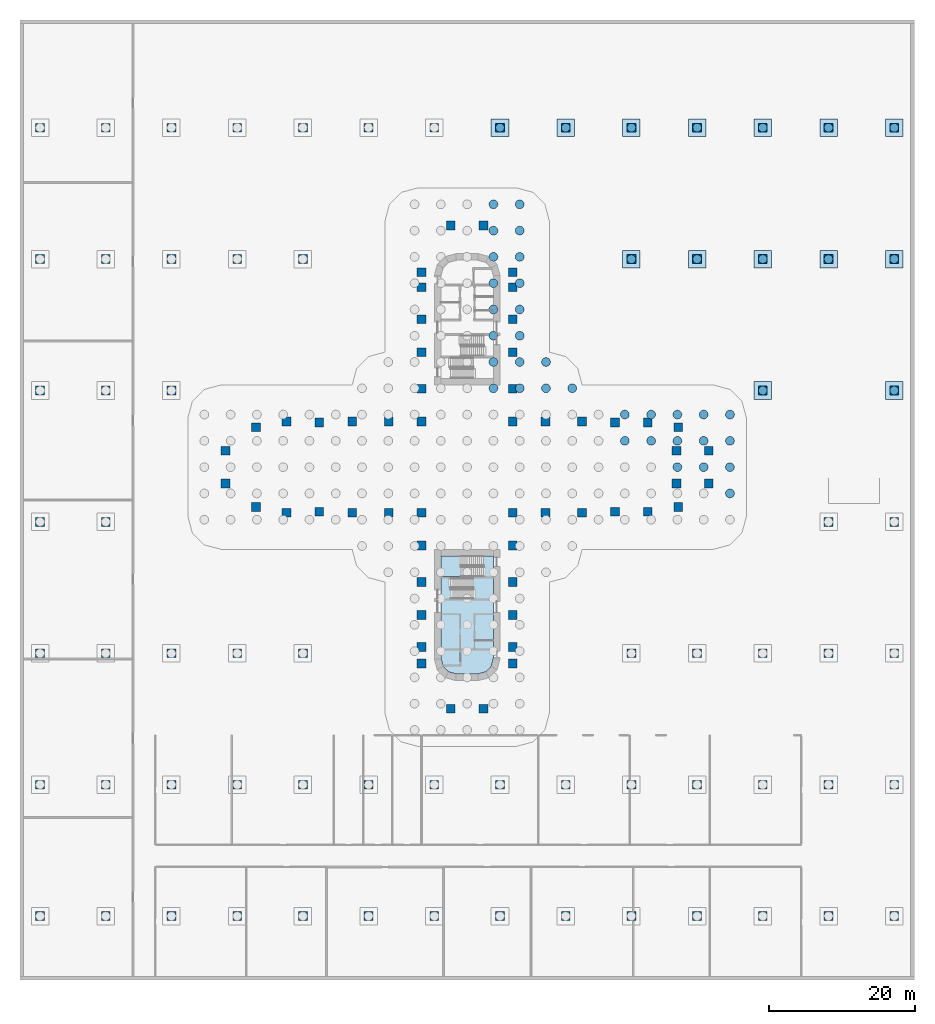
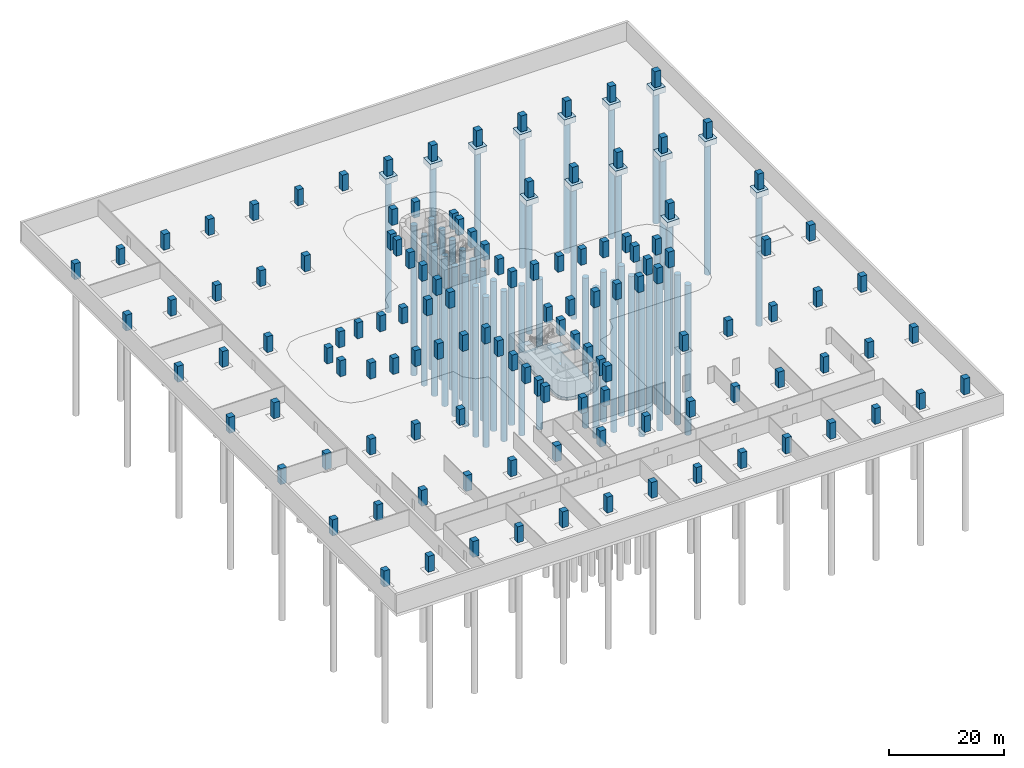
# One storey, part 2 of 14: 125 columns, 47 piles, 14 footings, 3 slabs, 2 elements without a shape of their own.
"""IFC4 building model written with IfcOpenShell, lengths in metres."""

from ifc_helpers import new_model, si_unit, direction, frame, origin, origin_2d, place, context, subcontext, project, spatial, polyline, rectangle, circle, outline, extrude, material, layer, layer_set, material_profile, profile_set, type_object, element, aggregate, save


model = new_model("IFC4")

# Units and contexts
model_context = context("Model", 3, precision=1e-05, world=origin(), true_north=direction((0.0, 1.0)))
body_context = subcontext(model_context, "Body", "Model", "MODEL_VIEW")
ifc_project = project(units=[si_unit("LENGTHUNIT", "METRE"), si_unit("AREAUNIT", "SQUARE_METRE"), si_unit("VOLUMEUNIT", "CUBIC_METRE"), si_unit("PLANEANGLEUNIT", "RADIAN"), si_unit("MASSUNIT", "GRAM", prefix="KILO")], contexts=[model_context])

# Site, building, storey
site_placement = place(None, origin())
site = spatial("IfcSite", under=ifc_project, at=site_placement, CompositionType="ELEMENT")
building_placement = place(site_placement, origin())
building = spatial("IfcBuilding", under=site, at=building_placement, Name="Zarbagh Exchange Tower", CompositionType="ELEMENT")
storey_placement = place(building_placement, frame((0.0, 0.0, -8.0)))
storey = spatial("IfcBuildingStorey", under=building, at=storey_placement, Name="B2", CompositionType="ELEMENT", Elevation=-8.0)

# Piles
ifc_material_1 = material(Name="Concrete C40/50", Category="concrete")
ifc_material_profile_1 = material_profile(ifc_material_1, circle(Radius=0.60009765625, at=origin_2d()), Name="Bored pile 1200 C40/50")
ifc_profile_set_1 = profile_set([ifc_material_profile_1], Name="Concrete C40/50")
pile_type = type_object("IfcPileType", Name="Bored pile 1200 C40/50", PredefinedType="BORED", material=ifc_profile_set_1)
for number, where, z_axis, x_axis, name in (
    (1, (3.60009765625, 10.800048828125, -4.0), (0.0, 0.0, -1.0), (1.0, 0.0, 0.0), "Bored pile raft"),
    (2, (3.60009765625, 14.39990234375, -4.0), (0.0, 0.0, -1.0), (1.0, 0.0, 0.0), "Bored pile raft"),
    (3, (3.60009765625, 18.0, -4.0), (0.0, 0.0, -1.0), (1.0, 0.0, 0.0), "Bored pile raft"),
    (4, (3.60009765625, 21.60009765625, -4.0), (0.0, 0.0, -1.0), (1.0, 0.0, 0.0), "Bored pile raft"),
    (5, (3.60009765625, 25.199951171875, -4.0), (0.0, 0.0, -1.0), (1.0, 0.0, 0.0), "Bored pile raft"),
    (6, (3.60009765625, 28.800048828125, -4.0), (0.0, 0.0, -1.0), (1.0, 0.0, 0.0), "Bored pile raft"),
    (7, (3.60009765625, 32.39990234375, -4.0), (0.0, 0.0, -1.0), (1.0, 0.0, 0.0), "Bored pile raft"),
    (8, (3.60009765625, 36.0, -4.0), (0.0, 0.0, -1.0), (1.0, 0.0, 0.0), "Bored pile raft"),
    (9, (7.199951171875, 10.800048828125, -4.0), (0.0, 0.0, -1.0), (1.0, 0.0, 0.0), "Bored pile raft"),
    (10, (7.199951171875, 14.39990234375, -4.0), (0.0, 0.0, -1.0), (1.0, 0.0, 0.0), "Bored pile raft"),
    (11, (7.199951171875, 18.0, -4.0), (0.0, 0.0, -1.0), (1.0, 0.0, 0.0), "Bored pile raft"),
    (12, (7.199951171875, 21.60009765625, -4.0), (0.0, 0.0, -1.0), (1.0, 0.0, 0.0), "Bored pile raft"),
    (13, (7.199951171875, 25.199951171875, -4.0), (0.0, 0.0, -1.0), (1.0, 0.0, 0.0), "Bored pile raft"),
    (14, (7.199951171875, 28.800048828125, -4.0), (0.0, 0.0, -1.0), (1.0, 0.0, 0.0), "Bored pile raft"),
    (15, (7.199951171875, 32.39990234375, -4.0), (0.0, 0.0, -1.0), (1.0, 0.0, 0.0), "Bored pile raft"),
    (16, (7.199951171875, 36.0, -4.0), (0.0, 0.0, -1.0), (1.0, 0.0, 0.0), "Bored pile raft"),
    (17, (10.800048828125, 10.800048828125, -4.0), (0.0, 0.0, -1.0), (1.0, 0.0, 0.0), "Bored pile raft"),
    (18, (10.800048828125, 14.39990234375, -4.0), (0.0, 0.0, -1.0), (1.0, 0.0, 0.0), "Bored pile raft"),
    (19, (14.39990234375, 10.800048828125, -4.0), (0.0, 0.0, -1.0), (1.0, 0.0, 0.0), "Bored pile raft"),
    (20, (21.60009765625, 3.60009765625, -4.0), (0.0, 0.0, -1.0), (1.0, 0.0, 0.0), "Bored pile raft"),
    (21, (21.60009765625, 7.199951171875, -4.0), (0.0, 0.0, -1.0), (1.0, 0.0, 0.0), "Bored pile raft"),
    (22, (25.199951171875, 3.60009765625, -4.0), (0.0, 0.0, -1.0), (1.0, 0.0, 0.0), "Bored pile raft"),
    (23, (25.199951171875, 7.199951171875, -4.0), (0.0, 0.0, -1.0), (1.0, 0.0, 0.0), "Bored pile raft"),
    (24, (28.800048828125, 0.0, -4.0), (0.0, 0.0, -1.0), (1.0, 0.0, 0.0), "Bored pile raft"),
    (25, (28.800048828125, 3.60009765625, -4.0), (0.0, 0.0, -1.0), (1.0, 0.0, 0.0), "Bored pile raft"),
    (26, (28.800048828125, 7.199951171875, -4.0), (0.0, 0.0, -1.0), (1.0, 0.0, 0.0), "Bored pile raft"),
    (27, (32.39990234375, 0.0, -4.0), (0.0, 0.0, -1.0), (1.0, 0.0, 0.0), "Bored pile raft"),
    (28, (32.39990234375, 3.60009765625, -4.0), (0.0, 0.0, -1.0), (1.0, 0.0, 0.0), "Bored pile raft"),
    (29, (32.39990234375, 7.199951171875, -4.0), (0.0, 0.0, -1.0), (1.0, 0.0, 0.0), "Bored pile raft"),
    (30, (36.0, -3.60009765625, -4.0), (0.0, 0.0, -1.0), (1.0, 0.0, 0.0), "Bored pile raft"),
    (31, (36.0, 0.0, -4.0), (0.0, 0.0, -1.0), (1.0, 0.0, 0.0), "Bored pile raft"),
    (32, (36.0, 3.60009765625, -4.0), (0.0, 0.0, -1.0), (1.0, 0.0, 0.0), "Bored pile raft"),
    (33, (36.0, 7.199951171875, -4.0), (0.0, 0.0, -1.0), (1.0, 0.0, 0.0), "Bored pile raft"),
):
    element("IfcPile", number, at=place(storey_placement, frame(where, z_axis=z_axis, x_axis=x_axis)), inside=storey, type_object=pile_type, Name=name, PredefinedType="BORED", context=body_context, shape_type="SweptSolid", body=[
        extrude(circle(Radius=0.60009765625, at=origin_2d()), origin(), (0.0, 0.0, 1.0), 32.0),
    ])
for number, where, z_axis, x_axis, name in (
    (34, (4.5, 46.5, -1.199951171875), (0.0, 0.0, -1.0), (1.0, 0.0, 0.0), "Bored pile pad"),
    (35, (13.5, 46.5, -1.199951171875), (0.0, 0.0, -1.0), (1.0, 0.0, 0.0), "Bored pile pad"),
    (36, (22.5, 28.5, -1.199951171875), (0.0, 0.0, -1.0), (1.0, 0.0, 0.0), "Bored pile pad"),
    (37, (22.5, 46.5, -1.199951171875), (0.0, 0.0, -1.0), (1.0, 0.0, 0.0), "Bored pile pad"),
    (38, (31.5, 28.5, -1.199951171875), (0.0, 0.0, -1.0), (1.0, 0.0, 0.0), "Bored pile pad"),
    (39, (31.5, 46.5, -1.199951171875), (0.0, 0.0, -1.0), (1.0, 0.0, 0.0), "Bored pile pad"),
    (40, (40.5, 10.5, -1.199951171875), (0.0, 0.0, -1.0), (1.0, 0.0, 0.0), "Bored pile pad"),
    (41, (40.5, 28.5, -1.199951171875), (0.0, 0.0, -1.0), (1.0, 0.0, 0.0), "Bored pile pad"),
    (42, (40.5, 46.5, -1.199951171875), (0.0, 0.0, -1.0), (1.0, 0.0, 0.0), "Bored pile pad"),
    (43, (49.5, 28.5, -1.199951171875), (0.0, 0.0, -1.0), (1.0, 0.0, 0.0), "Bored pile pad"),
    (44, (49.5, 46.5, -1.199951171875), (0.0, 0.0, -1.0), (1.0, 0.0, 0.0), "Bored pile pad"),
    (45, (58.5, 10.5, -1.199951171875), (0.0, 0.0, -1.0), (1.0, 0.0, 0.0), "Bored pile pad"),
    (46, (58.5, 28.5, -1.199951171875), (0.0, 0.0, -1.0), (1.0, 0.0, 0.0), "Bored pile pad"),
    (47, (58.5, 46.5, -1.199951171875), (0.0, 0.0, -1.0), (1.0, 0.0, 0.0), "Bored pile pad"),
):
    element("IfcPile", number, at=place(storey_placement, frame(where, z_axis=z_axis, x_axis=x_axis)), inside=storey, type_object=pile_type, Name=name, PredefinedType="BORED", context=body_context, shape_type="SweptSolid", body=[
        extrude(circle(Radius=0.60009765625, at=origin_2d()), origin(), (0.0, 0.0, 1.0), 28.0),
    ])

# Footings
ifc_layer_1 = layer(ifc_material_1, 1.199951171875)
ifc_layer_set_1 = layer_set([ifc_layer_1], Name="Pad footing 2400 x 2400 C40/50")
footing_type = type_object("IfcFootingType", Name="Pad footing 2400 x 2400 C40/50", PredefinedType="PAD_FOOTING", material=ifc_layer_set_1)
for number, where, z_axis, x_axis, name in (
    (48, (4.5, 46.5, -1.2001953125), (0.0, 0.0, 1.0), (1.0, 0.0, 0.0), "Pad footing"),
    (49, (13.5, 46.5, -1.2001953125), (0.0, 0.0, 1.0), (1.0, 0.0, 0.0), "Pad footing"),
    (50, (22.5, 28.5, -1.2001953125), (0.0, 0.0, 1.0), (1.0, 0.0, 0.0), "Pad footing"),
    (51, (22.5, 46.5, -1.2001953125), (0.0, 0.0, 1.0), (1.0, 0.0, 0.0), "Pad footing"),
    (52, (31.5, 28.5, -1.2001953125), (0.0, 0.0, 1.0), (1.0, 0.0, 0.0), "Pad footing"),
    (53, (31.5, 46.5, -1.2001953125), (0.0, 0.0, 1.0), (1.0, 0.0, 0.0), "Pad footing"),
    (54, (40.5, 10.5, -1.2001953125), (0.0, 0.0, 1.0), (1.0, 0.0, 0.0), "Pad footing"),
    (55, (40.5, 28.5, -1.2001953125), (0.0, 0.0, 1.0), (1.0, 0.0, 0.0), "Pad footing"),
    (56, (40.5, 46.5, -1.2001953125), (0.0, 0.0, 1.0), (1.0, 0.0, 0.0), "Pad footing"),
    (57, (49.5, 28.5, -1.2001953125), (0.0, 0.0, 1.0), (1.0, 0.0, 0.0), "Pad footing"),
    (58, (49.5, 46.5, -1.2001953125), (0.0, 0.0, 1.0), (1.0, 0.0, 0.0), "Pad footing"),
    (59, (58.5, 10.5, -1.2001953125), (0.0, 0.0, 1.0), (1.0, 0.0, 0.0), "Pad footing"),
    (60, (58.5, 28.5, -1.2001953125), (0.0, 0.0, 1.0), (1.0, 0.0, 0.0), "Pad footing"),
    (61, (58.5, 46.5, -1.2001953125), (0.0, 0.0, 1.0), (1.0, 0.0, 0.0), "Pad footing"),
):
    element("IfcFooting", number, at=place(storey_placement, frame(where, z_axis=z_axis, x_axis=x_axis)), inside=storey, type_object=footing_type, Name=name, PredefinedType="PAD_FOOTING", context=body_context, shape_type="SweptSolid", body=[
        extrude(rectangle(XDim=2.39990234375, YDim=2.39990234375, at=origin_2d()), origin(), (0.0, 0.0, 1.0), 1.199951171875),
    ])

# Columns
ifc_material_2 = material(Name="Concrete C60/75", Category="concrete")
ifc_material_profile_2 = material_profile(ifc_material_2, rectangle(XDim=1.199951171875, YDim=1.199951171875, at=origin_2d()), Name="RC column 1200 x 1200 C60/75")
ifc_profile_set_2 = profile_set([ifc_material_profile_2], Name="Concrete C60/75")
column_type = type_object("IfcColumnType", Name="RC column 1200 x 1200 C60/75", PredefinedType="COLUMN", material=ifc_profile_set_2)
for number, where, z_axis, x_axis, name in (
    (62, (-58.5, -61.5, 0.0), (0.0, 0.0, 1.0), (1.0, 0.0, 0.0), "C1 BX1/BY1"),
    (63, (-58.5, -43.5, 0.0), (0.0, 0.0, 1.0), (1.0, 0.0, 0.0), "C1 BX1/BY2"),
    (64, (-58.5, -25.5, 0.0), (0.0, 0.0, 1.0), (1.0, 0.0, 0.0), "C1 BX1/BY3"),
    (65, (-58.5, -7.5, 0.0), (0.0, 0.0, 1.0), (1.0, 0.0, 0.0), "C1 BX1/BY4"),
    (66, (-58.5, 10.5, 0.0), (0.0, 0.0, 1.0), (1.0, 0.0, 0.0), "C1 BX1/BY5"),
    (67, (-58.5, 28.5, 0.0), (0.0, 0.0, 1.0), (1.0, 0.0, 0.0), "C1 BX1/BY6"),
    (68, (-58.5, 46.5, 0.0), (0.0, 0.0, 1.0), (1.0, 0.0, 0.0), "C1 BX1/BY7"),
    (69, (-49.5, -61.5, 0.0), (0.0, 0.0, 1.0), (1.0, 0.0, 0.0), "C1 BX2/BY1"),
    (70, (-49.5, -43.5, 0.0), (0.0, 0.0, 1.0), (1.0, 0.0, 0.0), "C1 BX2/BY2"),
    (71, (-49.5, -25.5, 0.0), (0.0, 0.0, 1.0), (1.0, 0.0, 0.0), "C1 BX2/BY3"),
    (72, (-49.5, -7.5, 0.0), (0.0, 0.0, 1.0), (1.0, 0.0, 0.0), "C1 BX2/BY4"),
    (73, (-49.5, 10.5, 0.0), (0.0, 0.0, 1.0), (1.0, 0.0, 0.0), "C1 BX2/BY5"),
    (74, (-49.5, 28.5, 0.0), (0.0, 0.0, 1.0), (1.0, 0.0, 0.0), "C1 BX2/BY6"),
    (75, (-49.5, 46.5, 0.0), (0.0, 0.0, 1.0), (1.0, 0.0, 0.0), "C1 BX2/BY7"),
    (76, (-40.5, -61.5, 0.0), (0.0, 0.0, 1.0), (1.0, 0.0, 0.0), "C1 BX3/BY1"),
    (77, (-40.5, -43.5, 0.0), (0.0, 0.0, 1.0), (1.0, 0.0, 0.0), "C1 BX3/BY2"),
    (78, (-40.5, -25.5, 0.0), (0.0, 0.0, 1.0), (1.0, 0.0, 0.0), "C1 BX3/BY3"),
    (79, (-40.5, 10.5, 0.0), (0.0, 0.0, 1.0), (1.0, 0.0, 0.0), "C1 BX3/BY5"),
    (80, (-40.5, 28.5, 0.0), (0.0, 0.0, 1.0), (1.0, 0.0, 0.0), "C1 BX3/BY6"),
    (81, (-40.5, 46.5, 0.0), (0.0, 0.0, 1.0), (1.0, 0.0, 0.0), "C1 BX3/BY7"),
    (82, (-33.110107421875, -2.25, 0.0), (0.0, 0.0, 1.0), (1.0, 0.0, 0.0), "C1 10/S"),
    (83, (-33.110107421875, 2.25, 0.0), (0.0, 0.0, 1.0), (1.0, 0.0, 0.0), "C1 10/T"),
    (84, (-31.5, -61.5, 0.0), (0.0, 0.0, 1.0), (1.0, 0.0, 0.0), "C1 BX4/BY1"),
    (85, (-31.5, -43.5, 0.0), (0.0, 0.0, 1.0), (1.0, 0.0, 0.0), "C1 BX4/BY2"),
    (86, (-31.5, -25.5, 0.0), (0.0, 0.0, 1.0), (1.0, 0.0, 0.0), "C1 BX4/BY3"),
    (87, (-31.5, 28.5, 0.0), (0.0, 0.0, 1.0), (1.0, 0.0, 0.0), "C1 BX4/BY6"),
    (88, (-31.5, 46.5, 0.0), (0.0, 0.0, 1.0), (1.0, 0.0, 0.0), "C1 BX4/BY7"),
    (89, (-28.907958984375, -5.47509765625, 0.0), (0.0, 0.0, 1.0), (1.0, 0.0, 0.0), "C1 11/R"),
    (90, (-28.907958984375, 5.47509765625, 0.0), (0.0, 0.0, 1.0), (1.0, 0.0, 0.0), "C1 11/U"),
    (91, (-24.75, -6.25, 0.0), (0.0, 0.0, 1.0), (1.0, 0.0, 0.0), "C1 12/R"),
    (92, (-24.75, 6.25, 0.0), (0.0, 0.0, 1.0), (1.0, 0.0, 0.0), "C1 12/U"),
    (93, (-22.5, -61.5, 0.0), (0.0, 0.0, 1.0), (1.0, 0.0, 0.0), "C1 BX5/BY1"),
    (94, (-22.5, -43.5, 0.0), (0.0, 0.0, 1.0), (1.0, 0.0, 0.0), "C1 BX5/BY2"),
    (95, (-22.5, -25.5, 0.0), (0.0, 0.0, 1.0), (1.0, 0.0, 0.0), "C1 BX5/BY3"),
    (96, (-22.5, 28.5, 0.0), (0.0, 0.0, 1.0), (1.0, 0.0, 0.0), "C1 BX5/BY6"),
    (97, (-22.5, 46.5, 0.0), (0.0, 0.0, 1.0), (1.0, 0.0, 0.0), "C1 BX5/BY7"),
    (98, (-20.25, -6.110107421875, 0.0), (0.0, 0.0, 1.0), (1.0, 0.0, 0.0), "C1 13/R"),
    (99, (-20.25, 6.110107421875, 0.0), (0.0, 0.0, 1.0), (1.0, 0.0, 0.0), "C1 13/U"),
    (100, (-15.75, -6.25, 0.0), (0.0, 0.0, 1.0), (1.0, 0.0, 0.0), "C1 14/R"),
    (101, (-15.75, 6.25, 0.0), (0.0, 0.0, 1.0), (1.0, 0.0, 0.0), "C1 14/U"),
    (102, (-13.5, -61.5, 0.0), (0.0, 0.0, 1.0), (1.0, 0.0, 0.0), "C1 BX6/BY1"),
    (103, (-13.5, -43.5, 0.0), (0.0, 0.0, 1.0), (1.0, 0.0, 0.0), "C1 BX6/BY2"),
    (104, (-13.5, 46.5, 0.0), (0.0, 0.0, 1.0), (1.0, 0.0, 0.0), "C1 BX6/BY7"),
    (105, (-10.75, -6.25, 0.0), (0.0, 0.0, 1.0), (1.0, 0.0, 0.0), "C1 15/R"),
    (106, (-10.75, 6.25, 0.0), (0.0, 0.0, 1.0), (1.0, 0.0, 0.0), "C1 15/U"),
    (107, (-6.25, -26.89990234375, 0.0), (0.0, 0.0, 1.0), (1.0, 0.0, 0.0), "C1 16/L"),
    (108, (-6.25, -24.64990234375, 0.0), (0.0, 0.0, 1.0), (1.0, 0.0, 0.0), "C1 16/M"),
    (109, (-6.25, -20.25, 0.0), (0.0, 0.0, 1.0), (1.0, 0.0, 0.0), "C1 16/N"),
    (110, (-6.25, -15.75, 0.0), (0.0, 0.0, 1.0), (1.0, 0.0, 0.0), "C1 16/P"),
    (111, (-6.25, -10.75, 0.0), (0.0, 0.0, 1.0), (1.0, 0.0, 0.0), "C1 16/Q"),
    (112, (-6.25, -6.25, 0.0), (0.0, 0.0, 1.0), (1.0, 0.0, 0.0), "C1 16/R"),
    (113, (-6.25, 6.25, 0.0), (0.0, 0.0, 1.0), (1.0, 0.0, 0.0), "C1 16/U"),
    (114, (-6.25, 10.75, 0.0), (0.0, 0.0, 1.0), (1.0, 0.0, 0.0), "C1 16/V"),
    (115, (-6.25, 15.75, 0.0), (0.0, 0.0, 1.0), (1.0, 0.0, 0.0), "C1 16/W"),
    (116, (-6.25, 20.25, 0.0), (0.0, 0.0, 1.0), (1.0, 0.0, 0.0), "C1 16/X"),
    (117, (-6.25, 24.64990234375, 0.0), (0.0, 0.0, 1.0), (1.0, 0.0, 0.0), "C1 16/Y"),
    (118, (-6.25, 26.699951171875, 0.0), (0.0, 0.0, 1.0), (1.0, 0.0, 0.0), "C1 16/Z"),
    (119, (-4.5, -61.5, 0.0), (0.0, 0.0, 1.0), (1.0, 0.0, 0.0), "C1 BX7/BY1"),
    (120, (-4.5, -43.5, 0.0), (0.0, 0.0, 1.0), (1.0, 0.0, 0.0), "C1 BX7/BY2"),
    (121, (-4.5, 46.5, 0.0), (0.0, 0.0, 1.0), (1.0, 0.0, 0.0), "C1 BX7/BY7"),
    (122, (-2.25, -33.110107421875, 0.0), (0.0, 0.0, 1.0), (1.0, 0.0, 0.0), "C1 17/K"),
    (123, (-2.25, 33.110107421875, 0.0), (0.0, 0.0, 1.0), (1.0, 0.0, 0.0), "C1 17/AA"),
    (124, (2.25, -33.110107421875, 0.0), (0.0, 0.0, 1.0), (1.0, 0.0, 0.0), "C1 18/K"),
    (125, (2.25, 33.110107421875, 0.0), (0.0, 0.0, 1.0), (1.0, 0.0, 0.0), "C1 18/AA"),
    (126, (4.5, -61.5, 0.0), (0.0, 0.0, 1.0), (1.0, 0.0, 0.0), "C1 BX8/BY1"),
    (127, (4.5, -43.5, 0.0), (0.0, 0.0, 1.0), (1.0, 0.0, 0.0), "C1 BX8/BY2"),
    (128, (4.5, 46.5, 0.0), (0.0, 0.0, 1.0), (1.0, 0.0, 0.0), "C1 BX8/BY7"),
    (129, (6.25, -26.89990234375, 0.0), (0.0, 0.0, 1.0), (1.0, 0.0, 0.0), "C1 19/L"),
    (130, (6.25, -24.64990234375, 0.0), (0.0, 0.0, 1.0), (1.0, 0.0, 0.0), "C1 19/M"),
    (131, (6.25, -20.25, 0.0), (0.0, 0.0, 1.0), (1.0, 0.0, 0.0), "C1 19/N"),
    (132, (6.25, -15.75, 0.0), (0.0, 0.0, 1.0), (1.0, 0.0, 0.0), "C1 19/P"),
    (133, (6.25, -10.75, 0.0), (0.0, 0.0, 1.0), (1.0, 0.0, 0.0), "C1 19/Q"),
    (134, (6.25, -6.25, 0.0), (0.0, 0.0, 1.0), (1.0, 0.0, 0.0), "C1 19/R"),
    (135, (6.25, 6.25, 0.0), (0.0, 0.0, 1.0), (1.0, 0.0, 0.0), "C1 19/U"),
    (136, (6.25, 10.75, 0.0), (0.0, 0.0, 1.0), (1.0, 0.0, 0.0), "C1 19/V"),
    (137, (6.25, 15.75, 0.0), (0.0, 0.0, 1.0), (1.0, 0.0, 0.0), "C1 19/W"),
    (138, (6.25, 20.25, 0.0), (0.0, 0.0, 1.0), (1.0, 0.0, 0.0), "C1 19/X"),
    (139, (6.25, 24.64990234375, 0.0), (0.0, 0.0, 1.0), (1.0, 0.0, 0.0), "C1 19/Y"),
    (140, (6.25, 26.699951171875, 0.0), (0.0, 0.0, 1.0), (1.0, 0.0, 0.0), "C1 19/Z"),
    (141, (10.75, -6.25, 0.0), (0.0, 0.0, 1.0), (1.0, 0.0, 0.0), "C1 20/R"),
    (142, (10.75, 6.25, 0.0), (0.0, 0.0, 1.0), (1.0, 0.0, 0.0), "C1 20/U"),
    (143, (13.5, -61.5, 0.0), (0.0, 0.0, 1.0), (1.0, 0.0, 0.0), "C1 BX9/BY1"),
    (144, (13.5, -43.5, 0.0), (0.0, 0.0, 1.0), (1.0, 0.0, 0.0), "C1 BX9/BY2"),
    (145, (13.5, 46.5, 0.0), (0.0, 0.0, 1.0), (1.0, 0.0, 0.0), "C1 BX9/BY7"),
    (146, (15.75, -6.25, 0.0), (0.0, 0.0, 1.0), (1.0, 0.0, 0.0), "C1 21/R"),
    (147, (15.75, 6.25, 0.0), (0.0, 0.0, 1.0), (1.0, 0.0, 0.0), "C1 21/U"),
    (148, (20.25, -6.110107421875, 0.0), (0.0, 0.0, 1.0), (1.0, 0.0, 0.0), "C1 22/R"),
    (149, (20.25, 6.110107421875, 0.0), (0.0, 0.0, 1.0), (1.0, 0.0, 0.0), "C1 22/U"),
    (150, (22.5, -61.5, 0.0), (0.0, 0.0, 1.0), (1.0, 0.0, 0.0), "C1 BX10/BY1"),
    (151, (22.5, -43.5, 0.0), (0.0, 0.0, 1.0), (1.0, 0.0, 0.0), "C1 BX10/BY2"),
    (152, (22.5, -25.5, 0.0), (0.0, 0.0, 1.0), (1.0, 0.0, 0.0), "C1 BX10/BY3"),
    (153, (22.5, 28.5, 0.0), (0.0, 0.0, 1.0), (1.0, 0.0, 0.0), "C1 BX10/BY6"),
    (154, (22.5, 46.5, 0.0), (0.0, 0.0, 1.0), (1.0, 0.0, 0.0), "C1 BX10/BY7"),
    (155, (24.75, -6.110107421875, 0.0), (0.0, 0.0, 1.0), (1.0, 0.0, 0.0), "C1 23/R"),
    (156, (24.75, 6.110107421875, 0.0), (0.0, 0.0, 1.0), (1.0, 0.0, 0.0), "C1 23/U"),
    (157, (28.907958984375, -5.47509765625, 0.0), (0.0, 0.0, 1.0), (1.0, 0.0, 0.0), "C1 24/R"),
    (158, (28.669921875, -2.25, 0.0), (0.0, 0.0, 1.0), (1.0, 0.0, 0.0), "C1 24/S"),
    (159, (28.669921875, 2.25, 0.0), (0.0, 0.0, 1.0), (1.0, 0.0, 0.0), "C1 24/T"),
    (160, (28.907958984375, 5.47509765625, 0.0), (0.0, 0.0, 1.0), (1.0, 0.0, 0.0), "C1 24/U"),
    (161, (31.5, -61.5, 0.0), (0.0, 0.0, 1.0), (1.0, 0.0, 0.0), "C1 BX11/BY1"),
    (162, (31.5, -43.5, 0.0), (0.0, 0.0, 1.0), (1.0, 0.0, 0.0), "C1 BX11/BY2"),
    (163, (31.5, -25.5, 0.0), (0.0, 0.0, 1.0), (1.0, 0.0, 0.0), "C1 BX11/BY3"),
    (164, (31.5, 28.5, 0.0), (0.0, 0.0, 1.0), (1.0, 0.0, 0.0), "C1 BX11/BY6"),
    (165, (31.5, 46.5, 0.0), (0.0, 0.0, 1.0), (1.0, 0.0, 0.0), "C1 BX11/BY7"),
    (166, (33.110107421875, -2.25, 0.0), (0.0, 0.0, 1.0), (1.0, 0.0, 0.0), "C1 25/S"),
    (167, (33.110107421875, 2.25, 0.0), (0.0, 0.0, 1.0), (1.0, 0.0, 0.0), "C1 25/T"),
    (168, (40.5, -61.5, 0.0), (0.0, 0.0, 1.0), (1.0, 0.0, 0.0), "C1 BX12/BY1"),
    (169, (40.5, -43.5, 0.0), (0.0, 0.0, 1.0), (1.0, 0.0, 0.0), "C1 BX12/BY2"),
    (170, (40.5, -25.5, 0.0), (0.0, 0.0, 1.0), (1.0, 0.0, 0.0), "C1 BX12/BY3"),
    (171, (40.5, 10.5, 0.0), (0.0, 0.0, 1.0), (1.0, 0.0, 0.0), "C1 BX12/BY5"),
    (172, (40.5, 28.5, 0.0), (0.0, 0.0, 1.0), (1.0, 0.0, 0.0), "C1 BX12/BY6"),
    (173, (40.5, 46.5, 0.0), (0.0, 0.0, 1.0), (1.0, 0.0, 0.0), "C1 BX12/BY7"),
    (174, (49.5, -61.5, 0.0), (0.0, 0.0, 1.0), (1.0, 0.0, 0.0), "C1 BX13/BY1"),
    (175, (49.5, -43.5, 0.0), (0.0, 0.0, 1.0), (1.0, 0.0, 0.0), "C1 BX13/BY2"),
    (176, (49.5, -25.5, 0.0), (0.0, 0.0, 1.0), (1.0, 0.0, 0.0), "C1 BX13/BY3"),
    (177, (49.5, -7.5, 0.0), (0.0, 0.0, 1.0), (1.0, 0.0, 0.0), "C1 BX13/BY4"),
    (178, (49.5, 28.5, 0.0), (0.0, 0.0, 1.0), (1.0, 0.0, 0.0), "C1 BX13/BY6"),
    (179, (49.5, 46.5, 0.0), (0.0, 0.0, 1.0), (1.0, 0.0, 0.0), "C1 BX13/BY7"),
    (180, (58.5, -61.5, 0.0), (0.0, 0.0, 1.0), (1.0, 0.0, 0.0), "C1 BX14/BY1"),
    (181, (58.5, -43.5, 0.0), (0.0, 0.0, 1.0), (1.0, 0.0, 0.0), "C1 BX14/BY2"),
    (182, (58.5, -25.5, 0.0), (0.0, 0.0, 1.0), (1.0, 0.0, 0.0), "C1 BX14/BY3"),
    (183, (58.5, -7.5, 0.0), (0.0, 0.0, 1.0), (1.0, 0.0, 0.0), "C1 BX14/BY4"),
    (184, (58.5, 10.5, 0.0), (0.0, 0.0, 1.0), (1.0, 0.0, 0.0), "C1 BX14/BY5"),
    (185, (58.5, 28.5, 0.0), (0.0, 0.0, 1.0), (1.0, 0.0, 0.0), "C1 BX14/BY6"),
    (186, (58.5, 46.5, 0.0), (0.0, 0.0, 1.0), (1.0, 0.0, 0.0), "C1 BX14/BY7"),
):
    element("IfcColumn", number, at=place(storey_placement, frame(where, z_axis=z_axis, x_axis=x_axis)), inside=storey, type_object=column_type, Name=name, PredefinedType="COLUMN", context=body_context, shape_type="SweptSolid", body=[
        extrude(rectangle(XDim=1.199951171875, YDim=1.199951171875, at=origin_2d()), origin(), (0.0, 0.0, 1.0), 3.39990234375),
    ])

# Slab
ifc_layer_2 = layer(ifc_material_1, 0.60009765625)
ifc_layer_set_2 = layer_set([ifc_layer_2], Name="Core base slab 600 C40/50")
slab_type_1 = type_object("IfcSlabType", Name="Core base slab 600 C40/50", PredefinedType="BASESLAB", material=ifc_layer_set_2)
slab_1_placement = place(storey_placement, frame((0.0, 0.0, -0.60009765625)))
element("IfcSlab", 187, at=slab_1_placement, inside=storey, type_object=slab_type_1, Name="S13 core S", PredefinedType="BASESLAB", context=body_context, shape_type="SweptSolid", body=[
    extrude(outline(polyline([(-1.381591796875, -28.35009765625), (-2.5341796875, -28.041259765625), (-3.291259765625, -27.2841796875), (-3.60009765625, -26.131591796875), (-3.60009765625, -12.14990234375), (3.60009765625, -12.14990234375), (3.60009765625, -26.131591796875), (3.291259765625, -27.2841796875), (2.5341796875, -28.041259765625), (1.381591796875, -28.35009765625), (-1.381591796875, -28.35009765625)])), origin(), (0.0, 0.0, 1.0), 0.60009765625),
])

# Stair, slab
stair_type = type_object("IfcStairType", Name="Exit stair two-flight half-turn", PredefinedType="HALF_TURN_STAIR", material=ifc_material_1)
stair_1_placement = place(storey_placement, origin())
stair_1 = element("IfcStair", 188, at=stair_1_placement, inside=storey, type_object=stair_type, Name="exit stair ST3", PredefinedType="HALF_TURN_STAIR")
ifc_layer_3 = layer(ifc_material_1, 0.199951171875)
ifc_layer_set_3 = layer_set([ifc_layer_3], Name="Stair landing 200 mm")
slab_type_2 = type_object("IfcSlabType", Name="Stair landing 200 mm", PredefinedType="LANDING", material=ifc_layer_set_3)
slab_2_placement = place(storey_placement, frame((0.0, 0.0, 1.800048828125)))
slab_2 = element("IfcSlab", 189, at=slab_2_placement, type_object=slab_type_2, Name="ST3 landing 1", PredefinedType="LANDING", context=body_context, shape_type="SweptSolid", body=[
    extrude(outline(polyline([(0.830078125, -18.050048828125), (3.60009765625, -18.050048828125), (3.60009765625, -15.199951171875), (0.830078125, -15.199951171875), (0.830078125, -18.050048828125)])), origin(), (0.0, 0.0, 1.0), 0.199951171875),
])
aggregate(stair_1, [slab_2])

stair_2_placement = place(storey_placement, origin())
stair_2 = element("IfcStair", 190, at=stair_2_placement, inside=storey, type_object=stair_type, Name="exit stair ST4", PredefinedType="HALF_TURN_STAIR")
slab_3_placement = place(storey_placement, frame((0.0, 0.0, 1.800048828125)))
slab_3 = element("IfcSlab", 191, at=slab_3_placement, type_object=slab_type_2, Name="ST4 landing 1", PredefinedType="LANDING", context=body_context, shape_type="SweptSolid", body=[
    extrude(outline(polyline([(-0.830078125, -12.14990234375), (-3.60009765625, -12.14990234375), (-3.60009765625, -15.0), (-0.830078125, -15.0), (-0.830078125, -12.14990234375)])), origin(), (0.0, 0.0, 1.0), 0.199951171875),
])
aggregate(stair_2, [slab_3])

save(model, "model.ifc")
